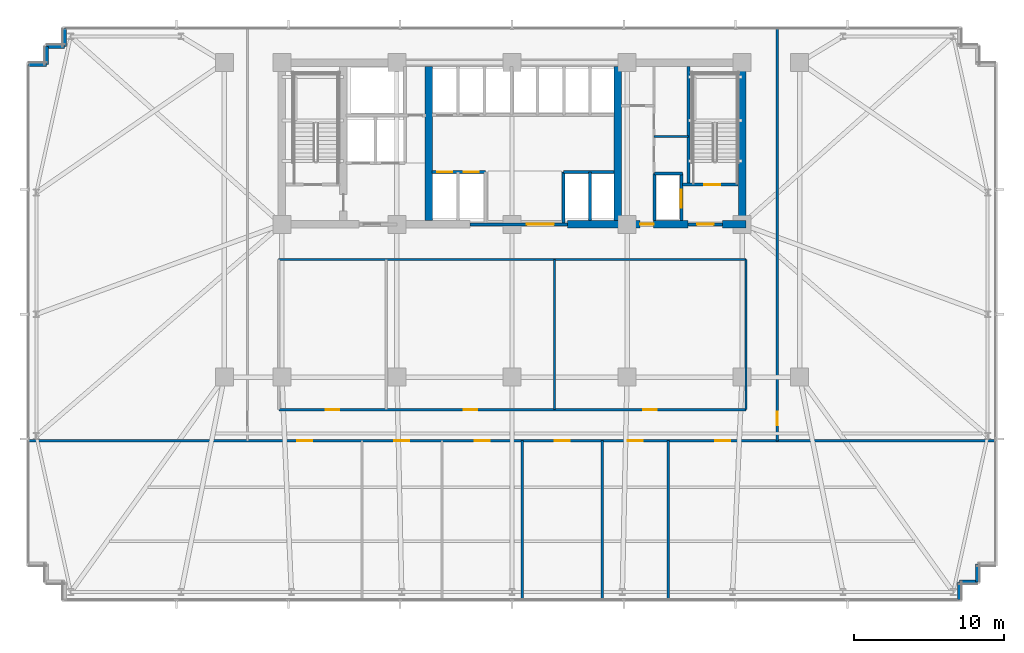
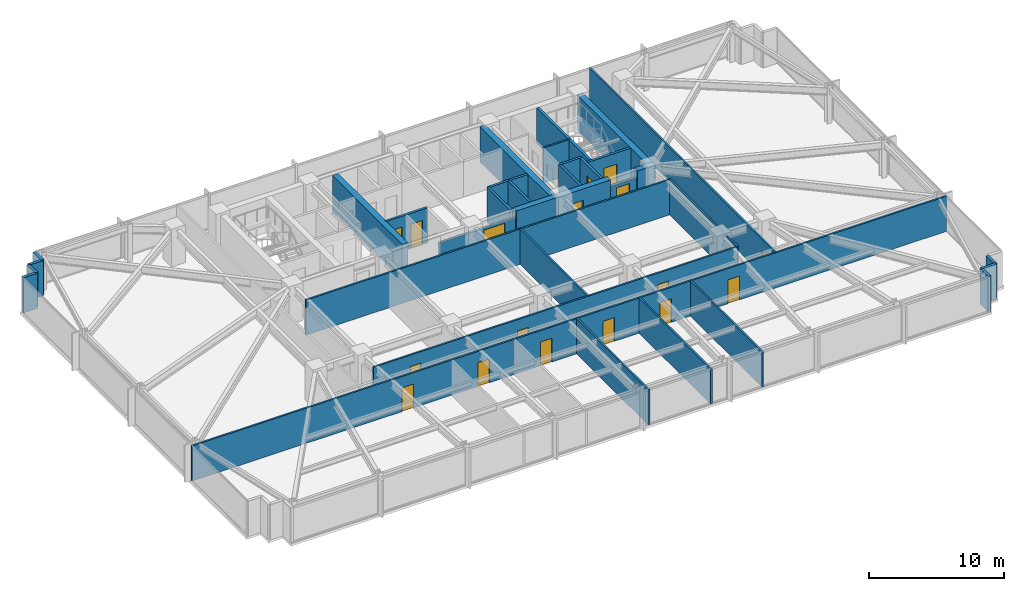
# One storey, part 25 of 33: 33 walls, 17 doors, 17 openings.
"""IFC4 building model written with IfcOpenShell, lengths in metres."""

from ifc_helpers import new_model, si_unit, direction, frame, frame_2d, origin, place, context, subcontext, project, spatial, rectangle, extrude, material, layer, layer_set, type_object, element, fill, save


model = new_model("IFC4")

# Units and contexts
model_context = context("Model", 3, precision=1e-05, world=origin(), true_north=direction((0.0, 1.0)))
body_context = subcontext(model_context, "Body", "Model", "MODEL_VIEW")
ifc_project = project(units=[si_unit("LENGTHUNIT", "METRE"), si_unit("AREAUNIT", "SQUARE_METRE"), si_unit("VOLUMEUNIT", "CUBIC_METRE"), si_unit("PLANEANGLEUNIT", "RADIAN"), si_unit("MASSUNIT", "GRAM", prefix="KILO")], contexts=[model_context])

# Site, building, storey
site_placement = place(None, origin())
site = spatial("IfcSite", under=ifc_project, at=site_placement, CompositionType="ELEMENT")
building_placement = place(site_placement, origin())
building = spatial("IfcBuilding", under=site, at=building_placement, Name="Yelkora Congress Tower", CompositionType="ELEMENT")
storey_placement = place(building_placement, frame((0.0, 0.0, 37.199951171875)))
storey = spatial("IfcBuildingStorey", under=building, at=storey_placement, Name="L08", CompositionType="ELEMENT", Elevation=37.199951171875)

# Wall
ifc_material_1 = material(Name="Concrete C50/60", Category="concrete")
ifc_layer_1 = layer(ifc_material_1, 0.219970703125)
ifc_layer_set_1 = layer_set([ifc_layer_1], Name="Concrete C50/60")
wall_type_1 = type_object("IfcWallType", Name="WALL-CORE-INT-220", PredefinedType="SHEAR", material=ifc_layer_set_1)
wall_1_placement = place(storey_placement, frame((50.179931640625, 38.050048828125, 0.0), z_axis=(0.0, 0.0, 1.0), x_axis=(0.0, 1.0, 0.0)))
element("IfcWall", 1, at=wall_1_placement, inside=storey, type_object=wall_type_1, Name="L08 ST02 West Stair Shear Wall", PredefinedType="SHEAR", context=body_context, shape_type="SweptSolid", body=[
    extrude(rectangle(XDim=7.89990234375, YDim=0.219970703125, at=frame_2d((3.949951171875, 0.0))), origin(), (0.0, 0.0, 1.0), 3.179931640625),
])

# Wall, opening, door
ifc_material_2 = material(Name="Concrete C60/75", Category="concrete")
ifc_layer_2 = layer(ifc_material_2, 0.5)
ifc_layer_set_2 = layer_set([ifc_layer_2], Name="Concrete C60/75")
wall_type_2 = type_object("IfcWallType", Name="WALL-CORE-INT-500", PredefinedType="SHEAR", material=ifc_layer_set_2)
wall_2_placement = place(storey_placement, frame((42.10009765625, 35.39990234375, 0.0), z_axis=(0.0, 0.0, 1.0), x_axis=(1.0, 0.0, 0.0)))
wall_2 = element("IfcWall", 2, at=wall_2_placement, inside=storey, type_object=wall_type_2, Name="L08 Rear Core South-East Shear Wall A", PredefinedType="SHEAR", context=body_context, shape_type="SweptSolid", body=[
    extrude(rectangle(XDim=8.0498046875, YDim=0.5, at=frame_2d((4.02490234375, 0.0))), origin(), (0.0, 0.0, 1.0), 3.179931640625),
])
opening_1_placement = place(wall_2_placement, frame((4.85009765625, 0.0, 0.0)))
opening_1 = element("IfcOpeningElement", 3, at=opening_1_placement, cuts=wall_2, Name="Opening DR-090F6", PredefinedType="OPENING", context=body_context, shape_type="SweptSolid", body=[
    extrude(rectangle(XDim=0.89990234375, YDim=2.14990234375, at=frame_2d((0.449951171875, 1.074951171875))), frame((0.0, 0.260009765625, 0.0), z_axis=(0.0, -1.0, 0.0), x_axis=(1.0, 0.0, 0.0)), (0.0, 0.0, 1.0), 0.52001953125),
])
ifc_material_3 = material(Name="Painted steel riser fire door leaf", Category="steel")
door_type_1 = type_object("IfcDoorType", Name="DOOR-FD60-900", OperationType="NOTDEFINED", PredefinedType="DOOR", material=ifc_material_3)
door_1_placement = place(opening_1_placement, origin())
door_1 = element("IfcDoor", 4, at=door_1_placement, inside=storey, type_object=door_type_1, Name="L08 Core Washroom Lobby Door", OperationType="SINGLE_SWING_RIGHT", OverallHeight=2.14990234375, OverallWidth=0.89990234375, PredefinedType="DOOR", context=body_context, shape_type="SweptSolid", body=[
    extrude(rectangle(XDim=0.89990234375, YDim=2.14990234375, at=frame_2d((0.449951171875, 1.074951171875))), frame((0.0, 0.02490234375, 0.0), z_axis=(0.0, -1.0, 0.0), x_axis=(1.0, 0.0, 0.0)), (0.0, 0.0, 1.0), 0.050048828125),
])
fill(opening_1, door_1)

# Walls
wall_3_placement = place(storey_placement, frame((52.449951171875, 35.39990234375, 0.0), z_axis=(0.0, 0.0, 1.0), x_axis=(1.0, 0.0, 0.0)))
element("IfcWall", 5, at=wall_3_placement, inside=storey, type_object=wall_type_2, Name="L08 Rear Core South-East Shear Wall B", PredefinedType="SHEAR", context=body_context, shape_type="SweptSolid", body=[
    extrude(rectangle(XDim=1.56005859375, YDim=0.5, at=frame_2d((0.780029296875, 0.0))), origin(), (0.0, 0.0, 1.0), 3.179931640625),
])
for number, where, z_axis, x_axis, name in (
    (6, (32.85009765625, 35.64990234375, 0.0), (0.0, 0.0, 1.0), (0.0, 1.0, 0.0), "L08 Rear Core Cross Shear Wall C2"),
    (7, (45.449951171875, 35.64990234375, 0.0), (0.0, 0.0, 1.0), (0.0, 1.0, 0.0), "L08 Rear Core Cross Shear Wall C3"),
    (8, (53.760009765625, 35.64990234375, 0.0), (0.0, 0.0, 1.0), (0.0, 1.0, 0.0), "L08 Rear Core Cross Shear Wall E"),
):
    element("IfcWall", number, at=place(storey_placement, frame(where, z_axis=z_axis, x_axis=x_axis)), inside=storey, type_object=wall_type_2, Name=name, PredefinedType="SHEAR", context=body_context, shape_type="SweptSolid", body=[
        extrude(rectangle(XDim=10.300048828125, YDim=0.5, at=frame_2d((5.14990234375, 0.0))), origin(), (0.0, 0.0, 1.0), 3.179931640625),
    ])
ifc_material_4 = material(Name="Concrete C40/50", Category="concrete")
ifc_layer_3 = layer(ifc_material_4, 0.239990234375)
ifc_layer_set_3 = layer_set([ifc_layer_3], Name="Concrete C40/50")
wall_type_3 = type_object("IfcWallType", Name="WALL-EXT-LIMESTONE-240", PredefinedType="SOLIDWALL", material=ifc_layer_set_3)
wall_4_placement = place(storey_placement, frame((6.139892578125, 46.06005859375, 0.0), z_axis=(0.0, 0.0, 1.0), x_axis=(1.0, 0.0, 0.0)))
element("IfcWall", 9, at=wall_4_placement, inside=storey, type_object=wall_type_3, Name="L08 Serrated Corner Limestone Pier 6", PredefinedType="SOLIDWALL", context=body_context, shape_type="SweptSolid", body=[
    extrude(rectangle(XDim=1.2001953125, YDim=0.239990234375, at=frame_2d((0.60009765625, 0.0))), origin(), (0.0, 0.0, 1.0), 3.179931640625),
])
for number, where, z_axis, x_axis, name in (
    (10, (7.340087890625, 46.06005859375, 0.0), (0.0, 0.0, 1.0), (0.0, 1.0, 0.0), "L08 Serrated Corner Limestone Pier 7"),
    (11, (7.340087890625, 47.260009765625, 0.0), (0.0, 0.0, 1.0), (1.0, 0.0, 0.0), "L08 Serrated Corner Limestone Pier 8"),
    (12, (8.5400390625, 47.260009765625, 0.0), (0.0, 0.0, 1.0), (0.0, 1.0, 0.0), "L08 Serrated Corner Limestone Pier 9"),
    (13, (69.4599609375, 12.739990234375, 0.0), (0.0, 0.0, 1.0), (0.0, -1.0, 0.0), "L08 Serrated Corner Limestone Pier 17"),
    (14, (69.4599609375, 11.5400390625, 0.0), (0.0, 0.0, 1.0), (-1.0, 0.0, 0.0), "L08 Serrated Corner Limestone Pier 18"),
    (15, (68.260009765625, 11.5400390625, 0.0), (0.0, 0.0, 1.0), (0.0, -1.0, 0.0), "L08 Serrated Corner Limestone Pier 19"),
):
    element("IfcWall", number, at=place(storey_placement, frame(where, z_axis=z_axis, x_axis=x_axis)), inside=storey, type_object=wall_type_3, Name=name, PredefinedType="SOLIDWALL", context=body_context, shape_type="SweptSolid", body=[
        extrude(rectangle(XDim=1.199951171875, YDim=0.239990234375, at=frame_2d((0.60009765625, 0.0))), origin(), (0.0, 0.0, 1.0), 3.179931640625),
    ])
ifc_material_5 = material(Name="Acoustic metal-stud gypsum partition", Category="gypsum")
ifc_layer_4 = layer(ifc_material_5, 0.14990234375)
ifc_layer_set_4 = layer_set([ifc_layer_4], Name="Acoustic metal-stud gypsum partition")
wall_type_4 = type_object("IfcWallType", Name="WALL-INT-150-NR", PredefinedType="PARTITIONING", material=ifc_layer_set_4)
wall_5_placement = place(storey_placement, frame((47.8798828125, 41.260009765625, 0.0), z_axis=(0.0, 0.0, 1.0), x_axis=(1.0, 0.0, 0.0)))
element("IfcWall", 16, at=wall_5_placement, inside=storey, type_object=wall_type_4, Name="L08 Partition Wall 29", PredefinedType="PARTITIONING", context=body_context, shape_type="SweptSolid", body=[
    extrude(rectangle(XDim=2.300048828125, YDim=0.14990234375, at=frame_2d((1.14990234375, 0.0))), origin(), (0.0, 0.0, 1.0), 3.179931640625),
])
for number, where, z_axis, x_axis, name in (
    (17, (39.075927734375, 10.280029296875, 0.0), (0.0, 0.0, 1.0), (0.0, 1.0, 0.0), "L08 Partition Wall 33"),
    (18, (44.422119140625, 10.280029296875, 0.0), (0.0, 0.0, 1.0), (0.0, 1.0, 0.0), "L08 Partition Wall 34"),
    (19, (48.824951171875, 10.280029296875, 0.0), (0.0, 0.0, 1.0), (0.0, 1.0, 0.0), "L08 Partition Wall 35"),
):
    element("IfcWall", number, at=place(storey_placement, frame(where, z_axis=z_axis, x_axis=x_axis)), inside=storey, type_object=wall_type_4, Name=name, PredefinedType="PARTITIONING", context=body_context, shape_type="SweptSolid", body=[
        extrude(rectangle(XDim=10.68994140625, YDim=0.14990234375, at=frame_2d((5.344970703125, 0.0))), origin(), (0.0, 0.0, 1.0), 3.179931640625),
    ])

# Wall, openings, doors
wall_6_placement = place(storey_placement, frame((6.080078125, 20.949951171875, 0.0), z_axis=(0.0, 0.0, 1.0), x_axis=(1.0, 0.0, 0.0)))
wall_6 = element("IfcWall", 20, at=wall_6_placement, inside=storey, type_object=wall_type_4, Name="L08 South Spine Wall", PredefinedType="PARTITIONING", context=body_context, shape_type="SweptSolid", body=[
    extrude(rectangle(XDim=64.639892578125, YDim=0.14990234375, at=frame_2d((32.31982421875, 0.0))), origin(), (0.0, 0.0, 1.0), 3.179931640625),
])
opening_2_placement = place(wall_6_placement, frame((17.986572265625, 0.0, 0.0)))
opening_2 = element("IfcOpeningElement", 21, at=opening_2_placement, cuts=wall_6, Name="Opening DR-100N", PredefinedType="OPENING", context=body_context, shape_type="SweptSolid", body=[
    extrude(rectangle(XDim=1.0, YDim=2.14990234375, at=frame_2d((0.5, 1.074951171875))), frame((0.0, 0.0849609375, 0.0), z_axis=(0.0, -1.0, 0.0), x_axis=(1.0, 0.0, 0.0)), (0.0, 0.0, 1.0), 0.169921875),
])
opening_3_placement = place(wall_6_placement, frame((24.4765625, 0.0, 0.0)))
opening_3 = element("IfcOpeningElement", 22, at=opening_3_placement, cuts=wall_6, Name="Opening DR-100N", PredefinedType="OPENING", context=body_context, shape_type="SweptSolid", body=[
    extrude(rectangle(XDim=1.0, YDim=2.14990234375, at=frame_2d((0.5, 1.074951171875))), frame((0.0, 0.0849609375, 0.0), z_axis=(0.0, -1.0, 0.0), x_axis=(1.0, 0.0, 0.0)), (0.0, 0.0, 1.0), 0.169921875),
])
opening_4_placement = place(wall_6_placement, frame((29.822998046875, 0.0, 0.0)))
opening_4 = element("IfcOpeningElement", 23, at=opening_4_placement, cuts=wall_6, Name="Opening DR-100N", PredefinedType="OPENING", context=body_context, shape_type="SweptSolid", body=[
    extrude(rectangle(XDim=1.0, YDim=2.14990234375, at=frame_2d((0.5, 1.074951171875))), frame((0.0, 0.0849609375, 0.0), z_axis=(0.0, -1.0, 0.0), x_axis=(1.0, 0.0, 0.0)), (0.0, 0.0, 1.0), 0.169921875),
])
opening_5_placement = place(wall_6_placement, frame((35.1689453125, 0.0, 0.0)))
opening_5 = element("IfcOpeningElement", 24, at=opening_5_placement, cuts=wall_6, Name="Opening DR-100N", PredefinedType="OPENING", context=body_context, shape_type="SweptSolid", body=[
    extrude(rectangle(XDim=1.0, YDim=2.14990234375, at=frame_2d((0.5, 1.074951171875))), frame((0.0, 0.0849609375, 0.0), z_axis=(0.0, -1.0, 0.0), x_axis=(1.0, 0.0, 0.0)), (0.0, 0.0, 1.0), 0.169921875),
])
opening_6_placement = place(wall_6_placement, frame((40.04345703125, 0.0, 0.0)))
opening_6 = element("IfcOpeningElement", 25, at=opening_6_placement, cuts=wall_6, Name="Opening DR-100N", PredefinedType="OPENING", context=body_context, shape_type="SweptSolid", body=[
    extrude(rectangle(XDim=1.0, YDim=2.14990234375, at=frame_2d((0.5, 1.074951171875))), frame((0.0, 0.0849609375, 0.0), z_axis=(0.0, -1.0, 0.0), x_axis=(1.0, 0.0, 0.0)), (0.0, 0.0, 1.0), 0.169921875),
])
opening_7_placement = place(wall_6_placement, frame((45.882568359375, 0.0, 0.0)))
opening_7 = element("IfcOpeningElement", 26, at=opening_7_placement, cuts=wall_6, Name="Opening DR-100N", PredefinedType="OPENING", context=body_context, shape_type="SweptSolid", body=[
    extrude(rectangle(XDim=1.0, YDim=2.14990234375, at=frame_2d((0.5, 1.074951171875))), frame((0.0, 0.0849609375, 0.0), z_axis=(0.0, -1.0, 0.0), x_axis=(1.0, 0.0, 0.0)), (0.0, 0.0, 1.0), 0.169921875),
])
ifc_material_6 = material(Name="Solid-core Anatolian oak veneer door", Category="wood")
door_type_2 = type_object("IfcDoorType", Name="DOOR-INT-1000", OperationType="NOTDEFINED", PredefinedType="DOOR", material=ifc_material_6)
door_2_placement = place(opening_2_placement, origin())
door_2 = element("IfcDoor", 27, at=door_2_placement, inside=storey, type_object=door_type_2, Name="L08 Pantry & Servery Door", OperationType="SINGLE_SWING_LEFT", OverallHeight=2.14990234375, OverallWidth=1.0, PredefinedType="DOOR", context=body_context, shape_type="SweptSolid", body=[
    extrude(rectangle(XDim=1.0, YDim=2.14990234375, at=frame_2d((0.5, 1.074951171875))), frame((0.0, 0.02490234375, 0.0), z_axis=(0.0, -1.0, 0.0), x_axis=(1.0, 0.0, 0.0)), (0.0, 0.0, 1.0), 0.050048828125),
])
fill(opening_2, door_2)
door_3_placement = place(opening_3_placement, origin())
door_3 = element("IfcDoor", 28, at=door_3_placement, inside=storey, type_object=door_type_2, Name="L08 Open-Plan Office Door", OperationType="SINGLE_SWING_RIGHT", OverallHeight=2.14990234375, OverallWidth=1.0, PredefinedType="DOOR", context=body_context, shape_type="SweptSolid", body=[
    extrude(rectangle(XDim=1.0, YDim=2.14990234375, at=frame_2d((0.5, 1.074951171875))), frame((0.0, 0.02490234375, 0.0), z_axis=(0.0, -1.0, 0.0), x_axis=(1.0, 0.0, 0.0)), (0.0, 0.0, 1.0), 0.050048828125),
])
fill(opening_3, door_3)
door_4_placement = place(opening_4_placement, origin())
door_4 = element("IfcDoor", 29, at=door_4_placement, inside=storey, type_object=door_type_2, Name="L08 Wellness Study Room Door", OperationType="SINGLE_SWING_LEFT", OverallHeight=2.14990234375, OverallWidth=1.0, PredefinedType="DOOR", context=body_context, shape_type="SweptSolid", body=[
    extrude(rectangle(XDim=1.0, YDim=2.14990234375, at=frame_2d((0.5, 1.074951171875))), frame((0.0, 0.02490234375, 0.0), z_axis=(0.0, -1.0, 0.0), x_axis=(1.0, 0.0, 0.0)), (0.0, 0.0, 1.0), 0.050048828125),
])
fill(opening_4, door_4)
door_5_placement = place(opening_5_placement, origin())
door_5 = element("IfcDoor", 30, at=door_5_placement, inside=storey, type_object=door_type_2, Name="L08 Store Print Door", OperationType="SINGLE_SWING_RIGHT", OverallHeight=2.14990234375, OverallWidth=1.0, PredefinedType="DOOR", context=body_context, shape_type="SweptSolid", body=[
    extrude(rectangle(XDim=1.0, YDim=2.14990234375, at=frame_2d((0.5, 1.074951171875))), frame((0.0, 0.02490234375, 0.0), z_axis=(0.0, -1.0, 0.0), x_axis=(1.0, 0.0, 0.0)), (0.0, 0.0, 1.0), 0.050048828125),
])
fill(opening_5, door_5)
door_6_placement = place(opening_6_placement, origin())
door_6 = element("IfcDoor", 31, at=door_6_placement, inside=storey, type_object=door_type_2, Name="L08 Conference Boardroom Door", OperationType="SINGLE_SWING_LEFT", OverallHeight=2.14990234375, OverallWidth=1.0, PredefinedType="DOOR", context=body_context, shape_type="SweptSolid", body=[
    extrude(rectangle(XDim=1.0, YDim=2.14990234375, at=frame_2d((0.5, 1.074951171875))), frame((0.0, 0.02490234375, 0.0), z_axis=(0.0, -1.0, 0.0), x_axis=(1.0, 0.0, 0.0)), (0.0, 0.0, 1.0), 0.050048828125),
])
fill(opening_6, door_6)
door_7_placement = place(opening_7_placement, origin())
door_7 = element("IfcDoor", 32, at=door_7_placement, inside=storey, type_object=door_type_2, Name="L08 Conference Boardroom Door", OperationType="SINGLE_SWING_RIGHT", OverallHeight=2.14990234375, OverallWidth=1.0, PredefinedType="DOOR", context=body_context, shape_type="SweptSolid", body=[
    extrude(rectangle(XDim=1.0, YDim=2.14990234375, at=frame_2d((0.5, 1.074951171875))), frame((0.0, 0.02490234375, 0.0), z_axis=(0.0, -1.0, 0.0), x_axis=(1.0, 0.0, 0.0)), (0.0, 0.0, 1.0), 0.050048828125),
])
fill(opening_7, door_7)

# Wall, opening, door
wall_7_placement = place(storey_placement, frame((56.10009765625, 20.949951171875, 0.0), z_axis=(0.0, 0.0, 1.0), x_axis=(0.0, 1.0, 0.0)))
wall_7 = element("IfcWall", 33, at=wall_7_placement, inside=storey, type_object=wall_type_4, Name="L08 Partition Wall 38", PredefinedType="PARTITIONING", context=body_context, shape_type="SweptSolid", body=[
    extrude(rectangle(XDim=27.570068359375, YDim=0.14990234375, at=frame_2d((13.78515625, 0.0))), origin(), (0.0, 0.0, 1.0), 3.179931640625),
])
opening_8_placement = place(wall_7_placement, frame((1.030029296875, 0.0, 0.0)))
opening_8 = element("IfcOpeningElement", 34, at=opening_8_placement, cuts=wall_7, Name="Opening DR-090N", PredefinedType="OPENING", context=body_context, shape_type="SweptSolid", body=[
    extrude(rectangle(XDim=0.89990234375, YDim=2.14990234375, at=frame_2d((0.449951171875, 1.074951171875))), frame((0.0, 0.0849609375, 0.0), z_axis=(0.0, -1.0, 0.0), x_axis=(1.0, 0.0, 0.0)), (0.0, 0.0, 1.0), 0.169921875),
])
ifc_material_7 = material(Name="Moisture-resistant laminate door leaf", Category="wood")
door_type_3 = type_object("IfcDoorType", Name="DOOR-INT-900", OperationType="NOTDEFINED", PredefinedType="DOOR", material=ifc_material_7)
door_8_placement = place(opening_8_placement, origin())
door_8 = element("IfcDoor", 35, at=door_8_placement, inside=storey, type_object=door_type_3, Name="L08 E Wing Door", OperationType="SINGLE_SWING_RIGHT", OverallHeight=2.14990234375, OverallWidth=0.89990234375, PredefinedType="DOOR", context=body_context, shape_type="SweptSolid", body=[
    extrude(rectangle(XDim=0.89990234375, YDim=2.14990234375, at=frame_2d((0.449951171875, 1.074951171875))), frame((0.0, 0.02490234375, 0.0), z_axis=(0.0, -1.0, 0.0), x_axis=(1.0, 0.0, 0.0)), (0.0, 0.0, 1.0), 0.050048828125),
])
fill(opening_8, door_8)

# Walls
wall_8_placement = place(storey_placement, frame((54.02001953125, 23.030029296875, 0.0), z_axis=(0.0, 0.0, 1.0), x_axis=(0.0, 1.0, 0.0)))
element("IfcWall", 36, at=wall_8_placement, inside=storey, type_object=wall_type_4, Name="L08 Partition Wall 40", PredefinedType="PARTITIONING", context=body_context, shape_type="SweptSolid", body=[
    extrude(rectangle(XDim=10.02001953125, YDim=0.14990234375, at=frame_2d((5.010009765625, 0.0))), origin(), (0.0, 0.0, 1.0), 3.179931640625),
])
wall_9_placement = place(storey_placement, frame((22.830078125, 33.050048828125, 0.0), z_axis=(0.0, 0.0, 1.0), x_axis=(1.0, 0.0, 0.0)))
element("IfcWall", 37, at=wall_9_placement, inside=storey, type_object=wall_type_4, Name="L08 Partition Wall 41", PredefinedType="PARTITIONING", context=body_context, shape_type="SweptSolid", body=[
    extrude(rectangle(XDim=31.18994140625, YDim=0.14990234375, at=frame_2d((15.594970703125, 0.0))), origin(), (0.0, 0.0, 1.0), 3.179931640625),
])
wall_10_placement = place(storey_placement, frame((41.22998046875, 23.030029296875, 0.0), z_axis=(0.0, 0.0, 1.0), x_axis=(0.0, 1.0, 0.0)))
element("IfcWall", 38, at=wall_10_placement, inside=storey, type_object=wall_type_4, Name="L08 Partition Wall 43", PredefinedType="PARTITIONING", context=body_context, shape_type="SweptSolid", body=[
    extrude(rectangle(XDim=10.02001953125, YDim=0.14990234375, at=frame_2d((5.010009765625, 0.0))), origin(), (0.0, 0.0, 1.0), 3.179931640625),
])

# Wall, openings, doors
wall_11_placement = place(storey_placement, frame((22.840087890625, 23.030029296875, 0.0), z_axis=(0.0, 0.0, 1.0), x_axis=(1.0, 0.0, 0.0)))
wall_11 = element("IfcWall", 39, at=wall_11_placement, inside=storey, type_object=wall_type_4, Name="L08 Partition Wall 44", PredefinedType="PARTITIONING", context=body_context, shape_type="SweptSolid", body=[
    extrude(rectangle(XDim=31.169921875, YDim=0.14990234375, at=frame_2d((15.5849609375, 0.0))), origin(), (0.0, 0.0, 1.0), 3.179931640625),
])
opening_9_placement = place(wall_11_placement, frame((3.134521484375, 0.0, 0.0)))
opening_9 = element("IfcOpeningElement", 40, at=opening_9_placement, cuts=wall_11, Name="Opening DR-090N", PredefinedType="OPENING", context=body_context, shape_type="SweptSolid", body=[
    extrude(rectangle(XDim=0.89990234375, YDim=2.14990234375, at=frame_2d((0.449951171875, 1.074951171875))), frame((0.0, 0.0849609375, 0.0), z_axis=(0.0, -1.0, 0.0), x_axis=(1.0, 0.0, 0.0)), (0.0, 0.0, 1.0), 0.169921875),
])
opening_10_placement = place(wall_11_placement, frame((12.32958984375, 0.0, 0.0)))
opening_10 = element("IfcOpeningElement", 41, at=opening_10_placement, cuts=wall_11, Name="Opening DR-090N", PredefinedType="OPENING", context=body_context, shape_type="SweptSolid", body=[
    extrude(rectangle(XDim=0.89990234375, YDim=2.14990234375, at=frame_2d((0.449951171875, 1.074951171875))), frame((0.0, 0.0849609375, 0.0), z_axis=(0.0, -1.0, 0.0), x_axis=(1.0, 0.0, 0.0)), (0.0, 0.0, 1.0), 0.169921875),
])
opening_11_placement = place(wall_11_placement, frame((24.330078125, 0.0, 0.0)))
opening_11 = element("IfcOpeningElement", 42, at=opening_11_placement, cuts=wall_11, Name="Opening DR-090N", PredefinedType="OPENING", context=body_context, shape_type="SweptSolid", body=[
    extrude(rectangle(XDim=0.89990234375, YDim=2.14990234375, at=frame_2d((0.449951171875, 1.074951171875))), frame((0.0, 0.0849609375, 0.0), z_axis=(0.0, -1.0, 0.0), x_axis=(1.0, 0.0, 0.0)), (0.0, 0.0, 1.0), 0.169921875),
])
door_9_placement = place(opening_9_placement, origin())
door_9 = element("IfcDoor", 43, at=door_9_placement, inside=storey, type_object=door_type_3, Name="L08 Executive Boardroom Door", OperationType="SINGLE_SWING_LEFT", OverallHeight=2.14990234375, OverallWidth=0.89990234375, PredefinedType="DOOR", context=body_context, shape_type="SweptSolid", body=[
    extrude(rectangle(XDim=0.89990234375, YDim=2.14990234375, at=frame_2d((0.449951171875, 1.074951171875))), frame((0.0, 0.02490234375, 0.0), z_axis=(0.0, -1.0, 0.0), x_axis=(1.0, 0.0, 0.0)), (0.0, 0.0, 1.0), 0.050048828125),
])
fill(opening_9, door_9)
door_10_placement = place(opening_10_placement, origin())
door_10 = element("IfcDoor", 44, at=door_10_placement, inside=storey, type_object=door_type_3, Name="L08 Huddle Seminar Room Door", OperationType="SINGLE_SWING_RIGHT", OverallHeight=2.14990234375, OverallWidth=0.89990234375, PredefinedType="DOOR", context=body_context, shape_type="SweptSolid", body=[
    extrude(rectangle(XDim=0.89990234375, YDim=2.14990234375, at=frame_2d((0.449951171875, 1.074951171875))), frame((0.0, 0.02490234375, 0.0), z_axis=(0.0, -1.0, 0.0), x_axis=(1.0, 0.0, 0.0)), (0.0, 0.0, 1.0), 0.050048828125),
])
fill(opening_10, door_10)
door_11_placement = place(opening_11_placement, origin())
door_11 = element("IfcDoor", 45, at=door_11_placement, inside=storey, type_object=door_type_3, Name="L08 Breakout Training Room Door", OperationType="SINGLE_SWING_LEFT", OverallHeight=2.14990234375, OverallWidth=0.89990234375, PredefinedType="DOOR", context=body_context, shape_type="SweptSolid", body=[
    extrude(rectangle(XDim=0.89990234375, YDim=2.14990234375, at=frame_2d((0.449951171875, 1.074951171875))), frame((0.0, 0.02490234375, 0.0), z_axis=(0.0, -1.0, 0.0), x_axis=(1.0, 0.0, 0.0)), (0.0, 0.0, 1.0), 0.050048828125),
])
fill(opening_11, door_11)

# Wall, opening, door
ifc_material_8 = material(Name="Autoclaved aerated concrete blockwork", Category="masonry")
ifc_layer_5 = layer(ifc_material_8, 0.199951171875)
ifc_layer_set_5 = layer_set([ifc_layer_5], Name="Autoclaved aerated concrete blockwork")
wall_type_5 = type_object("IfcWallType", Name="WALL-INT-200-R120", PredefinedType="PARTITIONING", material=ifc_layer_set_5)
wall_12_placement = place(storey_placement, frame((35.60009765625, 35.39990234375, 0.0), z_axis=(0.0, 0.0, 1.0), x_axis=(1.0, 0.0, 0.0)))
wall_12 = element("IfcWall", 46, at=wall_12_placement, inside=storey, type_object=wall_type_5, Name="L08 Main Lift Lobby South Portal Wall", PredefinedType="PARTITIONING", context=body_context, shape_type="SweptSolid", body=[
    extrude(rectangle(XDim=6.5, YDim=0.199951171875, at=frame_2d((3.25, 0.0))), origin(), (0.0, 0.0, 1.0), 2.47509765625),
])
opening_12_placement = place(wall_12_placement, frame((3.800048828125, 0.0, 0.0)))
opening_12 = element("IfcOpeningElement", 47, at=opening_12_placement, cuts=wall_12, Name="Opening DR-180D", PredefinedType="OPENING", context=body_context, shape_type="SweptSolid", body=[
    extrude(rectangle(XDim=1.800048828125, YDim=2.300048828125, at=frame_2d((0.89990234375, 1.14990234375))), frame((0.0, 0.10986328125, 0.0), z_axis=(0.0, -1.0, 0.0), x_axis=(1.0, 0.0, 0.0)), (0.0, 0.0, 1.0), 0.219970703125),
])
ifc_material_9 = material(Name="Acoustic double congress hall doors", Category="wood")
door_type_4 = type_object("IfcDoorType", Name="DOOR-DBL-1800", OperationType="DOUBLE_DOOR_SINGLE_SWING", PredefinedType="DOOR", material=ifc_material_9)
door_12_placement = place(opening_12_placement, origin())
door_12 = element("IfcDoor", 48, at=door_12_placement, inside=storey, type_object=door_type_4, Name="L08 Main Lift Lobby Portal Door", OperationType="DOUBLE_DOOR_SINGLE_SWING", OverallHeight=2.300048828125, OverallWidth=1.800048828125, PredefinedType="DOOR", context=body_context, shape_type="SweptSolid", body=[
    extrude(rectangle(XDim=1.800048828125, YDim=2.300048828125, at=frame_2d((0.89990234375, 1.14990234375))), frame((0.0, 0.02490234375, 0.0), z_axis=(0.0, -1.0, 0.0), x_axis=(1.0, 0.0, 0.0)), (0.0, 0.0, 1.0), 0.050048828125),
])
fill(opening_12, door_12)

# Wall, openings, doors
wall_13_placement = place(storey_placement, frame((33.050048828125, 38.89990234375, 0.0), z_axis=(0.0, 0.0, 1.0), x_axis=(1.0, 0.0, 0.0)))
wall_13 = element("IfcWall", 49, at=wall_13_placement, inside=storey, type_object=wall_type_5, Name="L08 Partition Wall 11", PredefinedType="PARTITIONING", context=body_context, shape_type="SweptSolid", body=[
    extrude(rectangle(XDim=3.570068359375, YDim=0.199951171875, at=frame_2d((1.78515625, 0.0))), origin(), (0.0, 0.0, 1.0), 3.179931640625),
])
opening_13_placement = place(wall_13_placement, frame((0.375, 0.0, 0.0)))
opening_13 = element("IfcOpeningElement", 50, at=opening_13_placement, cuts=wall_13, Name="Opening LD-PS10", PredefinedType="OPENING", context=body_context, shape_type="SweptSolid", body=[
    extrude(rectangle(XDim=1.0, YDim=2.199951171875, at=frame_2d((0.5, 1.10009765625))), frame((0.0, 0.10986328125, 0.0), z_axis=(0.0, -1.0, 0.0), x_axis=(1.0, 0.0, 0.0)), (0.0, 0.0, 1.0), 0.219970703125),
])
opening_14_placement = place(wall_13_placement, frame((2.125, 0.0, 0.0)))
opening_14 = element("IfcOpeningElement", 51, at=opening_14_placement, cuts=wall_13, Name="Opening LD-PS10", PredefinedType="OPENING", context=body_context, shape_type="SweptSolid", body=[
    extrude(rectangle(XDim=1.0, YDim=2.199951171875, at=frame_2d((0.5, 1.10009765625))), frame((0.0, 0.10986328125, 0.0), z_axis=(0.0, -1.0, 0.0), x_axis=(1.0, 0.0, 0.0)), (0.0, 0.0, 1.0), 0.219970703125),
])
ifc_material_10 = material(Name="Champagne stainless steel landing door", Category="steel")
door_type_5 = type_object("IfcDoorType", Name="DOOR-LIFT-PAS-1000", OperationType="DOUBLE_DOOR_SLIDING", PredefinedType="DOOR", material=ifc_material_10)
door_13_placement = place(opening_13_placement, origin())
door_13 = element("IfcDoor", 52, at=door_13_placement, inside=storey, type_object=door_type_5, Name="Lift Landing Door LF-P1 L08", OperationType="DOUBLE_DOOR_SLIDING", OverallHeight=2.199951171875, OverallWidth=1.0, PredefinedType="DOOR", context=body_context, shape_type="SweptSolid", body=[
    extrude(rectangle(XDim=1.0, YDim=2.199951171875, at=frame_2d((0.5, 1.10009765625))), frame((0.0, 0.02490234375, 0.0), z_axis=(0.0, -1.0, 0.0), x_axis=(1.0, 0.0, 0.0)), (0.0, 0.0, 1.0), 0.050048828125),
])
fill(opening_13, door_13)
door_14_placement = place(opening_14_placement, origin())
door_14 = element("IfcDoor", 53, at=door_14_placement, inside=storey, type_object=door_type_5, Name="Lift Landing Door LF-P2 L08", OperationType="DOUBLE_DOOR_SLIDING", OverallHeight=2.199951171875, OverallWidth=1.0, PredefinedType="DOOR", context=body_context, shape_type="SweptSolid", body=[
    extrude(rectangle(XDim=1.0, YDim=2.199951171875, at=frame_2d((0.5, 1.10009765625))), frame((0.0, 0.02490234375, 0.0), z_axis=(0.0, -1.0, 0.0), x_axis=(1.0, 0.0, 0.0)), (0.0, 0.0, 1.0), 0.050048828125),
])
fill(opening_14, door_14)

# Walls
wall_14_placement = place(storey_placement, frame((41.85009765625, 38.89990234375, 0.0), z_axis=(0.0, 0.0, 1.0), x_axis=(1.0, 0.0, 0.0)))
element("IfcWall", 54, at=wall_14_placement, inside=storey, type_object=wall_type_5, Name="L08 Partition Wall 17", PredefinedType="PARTITIONING", context=body_context, shape_type="SweptSolid", body=[
    extrude(rectangle(XDim=3.369873046875, YDim=0.199951171875, at=frame_2d((1.68505859375, 0.0))), origin(), (0.0, 0.0, 1.0), 3.179931640625),
])
wall_15_placement = place(storey_placement, frame((43.60009765625, 35.64990234375, 0.0), z_axis=(0.0, 0.0, 1.0), x_axis=(0.0, 1.0, 0.0)))
element("IfcWall", 55, at=wall_15_placement, inside=storey, type_object=wall_type_5, Name="L08 Partition Wall 19", PredefinedType="PARTITIONING", context=body_context, shape_type="SweptSolid", body=[
    extrude(rectangle(XDim=3.25, YDim=0.199951171875, at=frame_2d((1.625, 0.0))), origin(), (0.0, 0.0, 1.0), 3.179931640625),
])
wall_16_placement = place(storey_placement, frame((41.85009765625, 35.5, 0.0), z_axis=(0.0, 0.0, 1.0), x_axis=(0.0, 1.0, 0.0)))
element("IfcWall", 56, at=wall_16_placement, inside=storey, type_object=wall_type_5, Name="L08 Partition Wall 21", PredefinedType="PARTITIONING", context=body_context, shape_type="SweptSolid", body=[
    extrude(rectangle(XDim=3.39990234375, YDim=0.199951171875, at=frame_2d((1.699951171875, 0.0))), origin(), (0.0, 0.0, 1.0), 3.179931640625),
])

# Wall, opening, door
wall_17_placement = place(storey_placement, frame((49.780029296875, 38.050048828125, 0.0), z_axis=(0.0, 0.0, 1.0), x_axis=(1.0, 0.0, 0.0)))
wall_17 = element("IfcWall", 57, at=wall_17_placement, inside=storey, type_object=wall_type_5, Name="L08 Stair ST-02 Enclosure Wall", PredefinedType="PARTITIONING", context=body_context, shape_type="SweptSolid", body=[
    extrude(rectangle(XDim=3.719970703125, YDim=0.199951171875, at=frame_2d((1.85986328125, 0.0))), origin(), (0.0, 0.0, 1.0), 3.179931640625),
])
opening_15_placement = place(wall_17_placement, frame((1.436279296875, 0.0, 0.0)))
opening_15 = element("IfcOpeningElement", 58, at=opening_15_placement, cuts=wall_17, Name="Opening DR-110F9", PredefinedType="OPENING", context=body_context, shape_type="SweptSolid", body=[
    extrude(rectangle(XDim=1.10009765625, YDim=2.14990234375, at=frame_2d((0.550048828125, 1.074951171875))), frame((0.0, 0.10986328125, 0.0), z_axis=(0.0, -1.0, 0.0), x_axis=(1.0, 0.0, 0.0)), (0.0, 0.0, 1.0), 0.219970703125),
])
ifc_material_11 = material(Name="Galvanised steel fire door leaf", Category="steel")
door_type_6 = type_object("IfcDoorType", Name="DOOR-FD90-1100", OperationType="NOTDEFINED", PredefinedType="DOOR", material=ifc_material_11)
door_15_placement = place(opening_15_placement, origin())
door_15 = element("IfcDoor", 59, at=door_15_placement, inside=storey, type_object=door_type_6, Name="L08 Stair ST-02 Entry Door", OperationType="SINGLE_SWING_LEFT", OverallHeight=2.14990234375, OverallWidth=1.10009765625, PredefinedType="DOOR", context=body_context, shape_type="SweptSolid", body=[
    extrude(rectangle(XDim=1.10009765625, YDim=2.14990234375, at=frame_2d((0.550048828125, 1.074951171875))), frame((0.0, 0.02490234375, 0.0), z_axis=(0.0, -1.0, 0.0), x_axis=(1.0, 0.0, 0.0)), (0.0, 0.0, 1.0), 0.050048828125),
])
fill(opening_15, door_15)

wall_18_placement = place(storey_placement, frame((50.14990234375, 35.39990234375, 0.0), z_axis=(0.0, 0.0, 1.0), x_axis=(1.0, 0.0, 0.0)))
wall_18 = element("IfcWall", 60, at=wall_18_placement, inside=storey, type_object=wall_type_5, Name="L08 Partition Wall 24", PredefinedType="PARTITIONING", context=body_context, shape_type="SweptSolid", body=[
    extrude(rectangle(XDim=2.300048828125, YDim=0.199951171875, at=frame_2d((1.14990234375, 0.0))), origin(), (0.0, 0.0, 1.0), 2.47509765625),
])
opening_16_placement = place(wall_18_placement, frame((0.60009765625, 0.0, 0.0)))
opening_16 = element("IfcOpeningElement", 61, at=opening_16_placement, cuts=wall_18, Name="Opening DR-110F9", PredefinedType="OPENING", context=body_context, shape_type="SweptSolid", body=[
    extrude(rectangle(XDim=1.10009765625, YDim=2.14990234375, at=frame_2d((0.550048828125, 1.074951171875))), frame((0.0, 0.10986328125, 0.0), z_axis=(0.0, -1.0, 0.0), x_axis=(1.0, 0.0, 0.0)), (0.0, 0.0, 1.0), 0.219970703125),
])
door_16_placement = place(opening_16_placement, origin())
door_16 = element("IfcDoor", 62, at=door_16_placement, inside=storey, type_object=door_type_6, Name="L08 East Stair Lobby Door", OperationType="SINGLE_SWING_RIGHT", OverallHeight=2.14990234375, OverallWidth=1.10009765625, PredefinedType="DOOR", context=body_context, shape_type="SweptSolid", body=[
    extrude(rectangle(XDim=1.10009765625, YDim=2.14990234375, at=frame_2d((0.550048828125, 1.074951171875))), frame((0.0, 0.02490234375, 0.0), z_axis=(0.0, -1.0, 0.0), x_axis=(1.0, 0.0, 0.0)), (0.0, 0.0, 1.0), 0.050048828125),
])
fill(opening_16, door_16)

wall_19_placement = place(storey_placement, frame((49.699951171875, 35.64990234375, 0.0), z_axis=(0.0, 0.0, 1.0), x_axis=(0.0, 1.0, 0.0)))
wall_19 = element("IfcWall", 63, at=wall_19_placement, inside=storey, type_object=wall_type_5, Name="L08 Partition Wall 25", PredefinedType="PARTITIONING", context=body_context, shape_type="SweptSolid", body=[
    extrude(rectangle(XDim=3.150146484375, YDim=0.199951171875, at=frame_2d((1.5751953125, 0.0))), origin(), (0.0, 0.0, 1.0), 3.179931640625),
])
opening_17_placement = place(wall_19_placement, frame((0.85009765625, 0.0, 0.0)))
opening_17 = element("IfcOpeningElement", 64, at=opening_17_placement, cuts=wall_19, Name="Opening LD-SV12", PredefinedType="OPENING", context=body_context, shape_type="SweptSolid", body=[
    extrude(rectangle(XDim=1.199951171875, YDim=2.199951171875, at=frame_2d((0.60009765625, 1.10009765625))), frame((0.0, 0.10986328125, 0.0), z_axis=(0.0, -1.0, 0.0), x_axis=(1.0, 0.0, 0.0)), (0.0, 0.0, 1.0), 0.219970703125),
])
ifc_material_12 = material(Name="Heavy-duty stainless steel landing door", Category="steel")
door_type_7 = type_object("IfcDoorType", Name="DOOR-LIFT-SRV-1200", OperationType="DOUBLE_DOOR_SLIDING", PredefinedType="DOOR", material=ifc_material_12)
door_17_placement = place(opening_17_placement, origin())
door_17 = element("IfcDoor", 65, at=door_17_placement, inside=storey, type_object=door_type_7, Name="Service Lift Landing Door LF-SV1 L08", OperationType="DOUBLE_DOOR_SLIDING", OverallHeight=2.199951171875, OverallWidth=1.199951171875, PredefinedType="DOOR", context=body_context, shape_type="SweptSolid", body=[
    extrude(rectangle(XDim=1.199951171875, YDim=2.199951171875, at=frame_2d((0.60009765625, 1.10009765625))), frame((0.0, 0.02490234375, 0.0), z_axis=(0.0, -1.0, 0.0), x_axis=(1.0, 0.0, 0.0)), (0.0, 0.0, 1.0), 0.050048828125),
])
fill(opening_17, door_17)

# Walls
wall_20_placement = place(storey_placement, frame((47.919921875, 35.64990234375, 0.0), z_axis=(0.0, 0.0, 1.0), x_axis=(0.0, 1.0, 0.0)))
element("IfcWall", 66, at=wall_20_placement, inside=storey, type_object=wall_type_5, Name="L08 Partition Wall 26", PredefinedType="PARTITIONING", context=body_context, shape_type="SweptSolid", body=[
    extrude(rectangle(XDim=3.150146484375, YDim=0.199951171875, at=frame_2d((1.5751953125, 0.0))), origin(), (0.0, 0.0, 1.0), 3.179931640625),
])
wall_21_placement = place(storey_placement, frame((47.919921875, 38.800048828125, 0.0), z_axis=(0.0, 0.0, 1.0), x_axis=(1.0, 0.0, 0.0)))
element("IfcWall", 67, at=wall_21_placement, inside=storey, type_object=wall_type_5, Name="L08 Partition Wall 27", PredefinedType="PARTITIONING", context=body_context, shape_type="SweptSolid", body=[
    extrude(rectangle(XDim=1.860107421875, YDim=0.199951171875, at=frame_2d((0.93017578125, 0.0))), origin(), (0.0, 0.0, 1.0), 3.179931640625),
])

save(model, "model.ifc")
